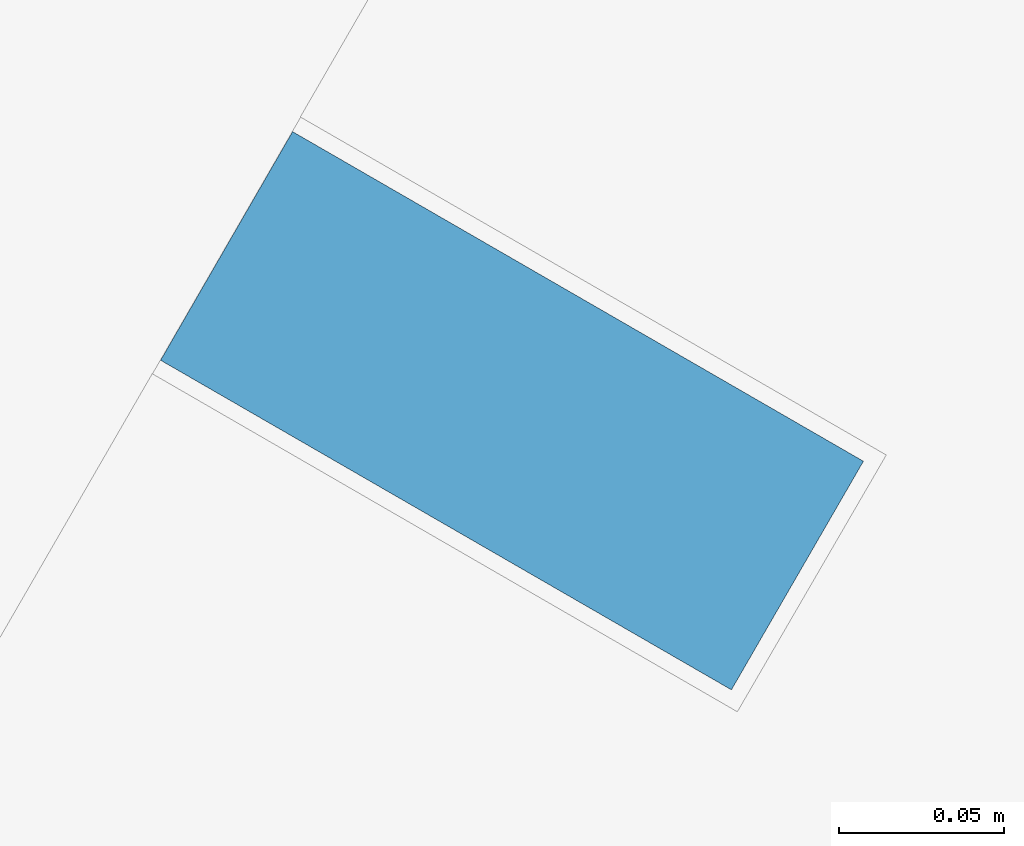
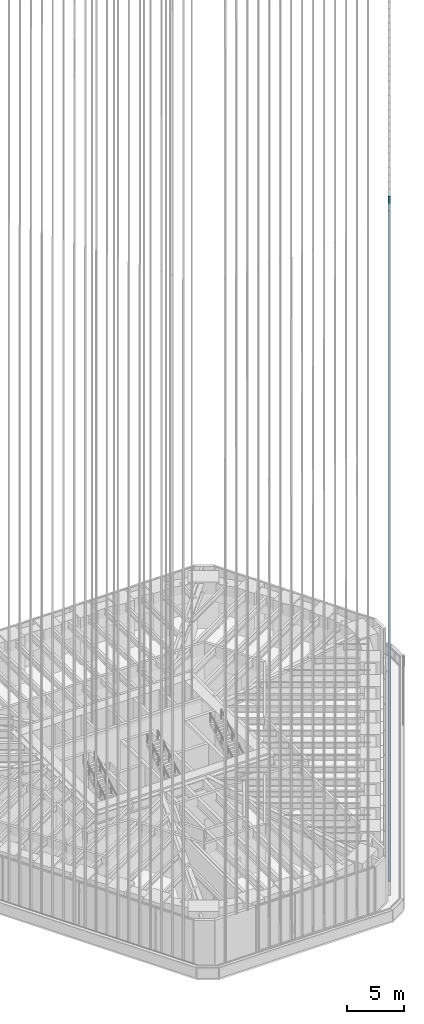
# One storey, part 80 of 228: 1 member, 1 element without a shape of its own.
"""IFC4 building model written with IfcOpenShell, lengths in metres."""

from ifc_helpers import new_model, si_unit, direction, frame, origin, origin_2d, place, context, subcontext, project, spatial, rectangle, extrude, material, material_profile, profile_set, type_object, element, aggregate, save


model = new_model("IFC4")

# Units and contexts
model_context = context("Model", 3, precision=1e-05, world=origin(), true_north=direction((0.0, 1.0)))
body_context = subcontext(model_context, "Body", "Model", "MODEL_VIEW")
ifc_project = project(units=[si_unit("LENGTHUNIT", "METRE"), si_unit("AREAUNIT", "SQUARE_METRE"), si_unit("VOLUMEUNIT", "CUBIC_METRE"), si_unit("PLANEANGLEUNIT", "RADIAN"), si_unit("MASSUNIT", "GRAM", prefix="KILO")], contexts=[model_context])

# Site, building, storey
site_placement = place(None, origin())
site = spatial("IfcSite", under=ifc_project, at=site_placement, CompositionType="ELEMENT")
building_placement = place(site_placement, origin())
building = spatial("IfcBuilding", under=site, at=building_placement, Name="Sandreach Pilgrim Tower", CompositionType="ELEMENT")
storey_placement = place(building_placement, frame((0.0, 0.0, 178.199951171875)))
storey = spatial("IfcBuildingStorey", under=building, at=storey_placement, Name="L44", CompositionType="ELEMENT", Elevation=178.199951171875)

# Curtain wall, member
ifc_material_1 = material(Name="Aluminium framed curtain wall", Category="aluminium")
curtain_wall_type = type_object("IfcCurtainWallType", Name="Upper hotel tower curtain wall", PredefinedType="NOTDEFINED", material=ifc_material_1)
curtain_wall_placement = place(storey_placement, origin())
curtain_wall = element("IfcCurtainWall", 1, at=curtain_wall_placement, inside=storey, type_object=curtain_wall_type, Name="CW-3 L44 SE", PredefinedType="NOTDEFINED")
ifc_material_2 = material(Name="Extruded terracotta on aluminium core", Category="masonry")
ifc_material_profile = material_profile(ifc_material_2, rectangle(XDim=0.080078125, YDim=0.199951171875, at=origin_2d()), Name="TBE 80X200")
ifc_profile_set = profile_set([ifc_material_profile], Name="Extruded terracotta on aluminium core")
member_type = type_object("IfcMemberType", Name="Terracotta baguette east", PredefinedType="USERDEFINED", material=ifc_profile_set)
member_placement = place(storey_placement, frame((11.51318359375, -23.178955078125, 0.0), z_axis=(0.0, 0.0, 1.0), x_axis=(-0.5, -0.866025403784, 0.0)))
member = element("IfcMember", 2, at=member_placement, type_object=member_type, Name="Baguette Z3 SE29", ObjectType="BAGUETTE", PredefinedType="USERDEFINED", context=body_context, shape_type="SweptSolid", body=[
    extrude(rectangle(XDim=0.080078125, YDim=0.199951171875, at=origin_2d()), origin(), (0.0, 0.0, 1.0), 73.239990234375),
])
aggregate(curtain_wall, [member])

save(model, "model.ifc")
